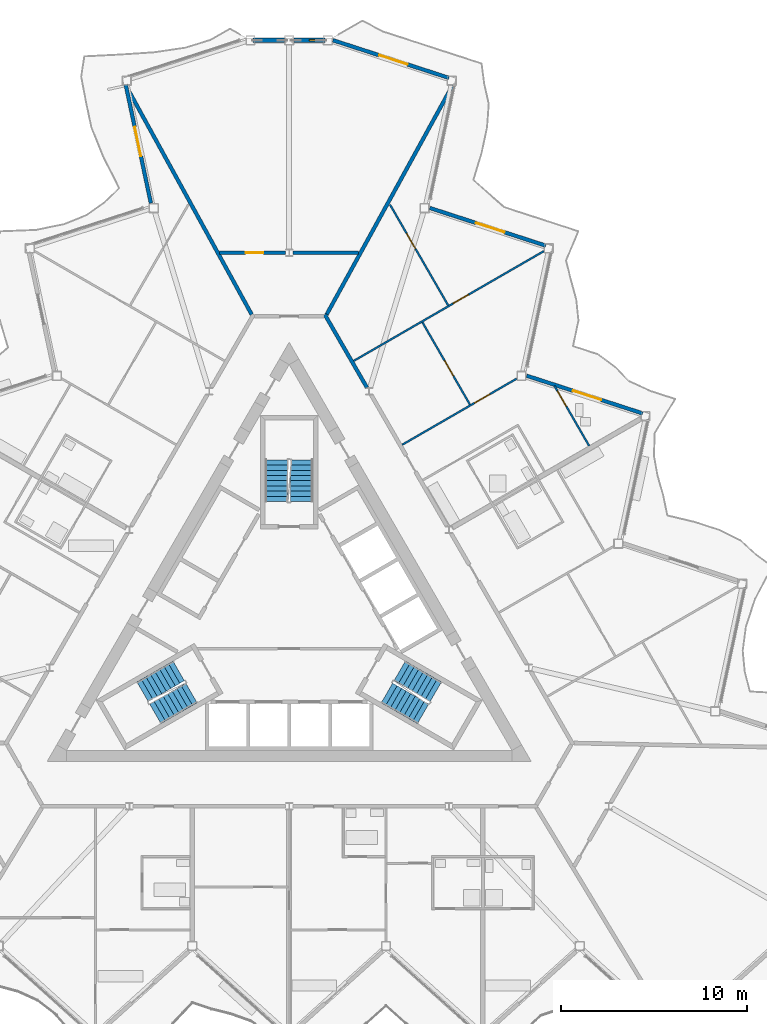
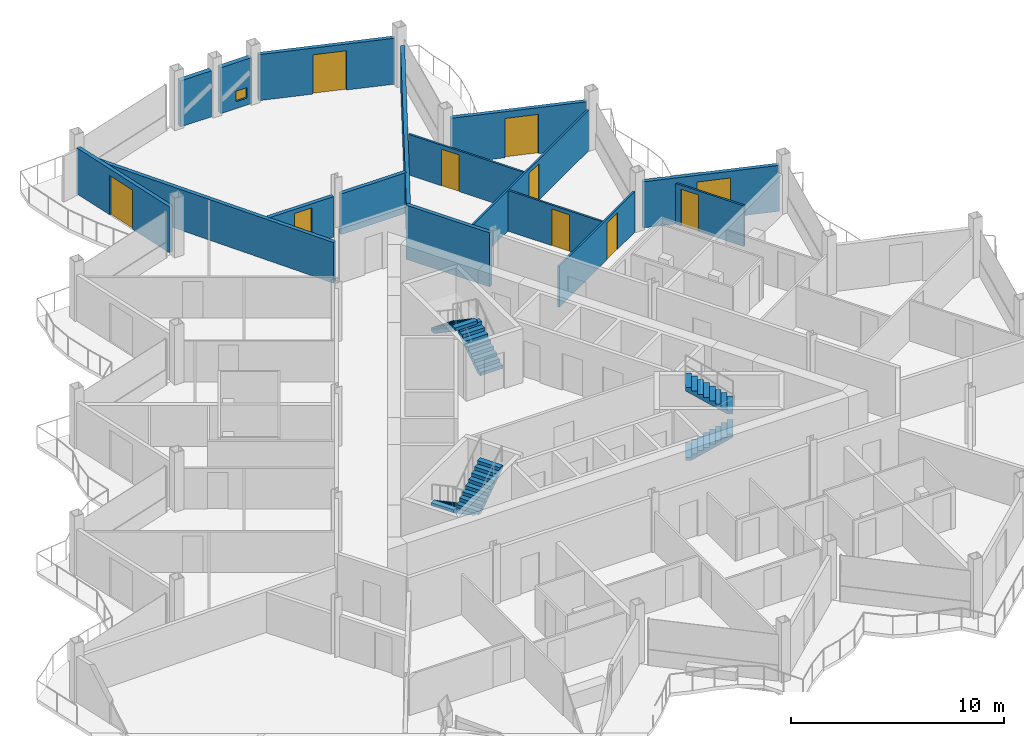
# One storey, part 17 of 25: 16 walls, 10 doors, 6 stair flights, 1 window, 11 openings, 3 elements without a shape of their own.
"""IFC4 building model written with IfcOpenShell, lengths in metres."""

from ifc_helpers import new_model, si_unit, direction, frame, frame_2d, origin, place, context, subcontext, project, spatial, polyline, rectangle, outline, extrude, material, layer, layer_set, type_object, element, fill, aggregate, save


model = new_model("IFC4")

# Units and contexts
model_context = context("Model", 3, precision=1e-05, world=origin(), true_north=direction((0.0, 1.0)))
body_context = subcontext(model_context, "Body", "Model", "MODEL_VIEW")
ifc_project = project(units=[si_unit("LENGTHUNIT", "METRE"), si_unit("AREAUNIT", "SQUARE_METRE"), si_unit("VOLUMEUNIT", "CUBIC_METRE"), si_unit("PLANEANGLEUNIT", "RADIAN"), si_unit("MASSUNIT", "GRAM", prefix="KILO")], contexts=[model_context])

# Site, building, storey
site_placement = place(None, origin())
site = spatial("IfcSite", under=ifc_project, at=site_placement, CompositionType="ELEMENT")
building_placement = place(site_placement, origin())
building = spatial("IfcBuilding", under=site, at=building_placement, Name="Cormorant Prow Tower", CompositionType="ELEMENT")
storey_placement = place(building_placement, frame((0.0, 0.0, 391.60009765625)))
storey = spatial("IfcBuildingStorey", under=building, at=storey_placement, Name="L89", CompositionType="ELEMENT", Elevation=391.60009765625)

# Walls
ifc_material_1 = material(Name="Gypsum board corridor wall")
ifc_layer_1 = layer(ifc_material_1, 0.199951171875)
ifc_layer_set_1 = layer_set([ifc_layer_1], Name="Gypsum board corridor wall")
wall_type_1 = type_object("IfcWallType", Name="Corridor wall 200", PredefinedType="PARTITIONING", material=ifc_layer_set_1)
wall_1_placement = place(storey_placement, frame((1.9130859375, 16.497802734375, 0.0), z_axis=(0.0, 0.0, 1.0), x_axis=(0.499974648164, -0.866040040179, 0.0)))
element("IfcWall", 1, at=wall_1_placement, inside=storey, type_object=wall_type_1, Name="Corridor wall", PredefinedType="PARTITIONING", context=body_context, shape_type="SweptSolid", body=[
    extrude(rectangle(XDim=4.525146484375, YDim=0.199951171875, at=frame_2d((2.2626953125, 0.0))), origin(), (0.0, 0.0, 1.0), 3.099853515625),
])
ifc_material_2 = material(Name="Gypsum board demising wall")
ifc_layer_2 = layer(ifc_material_2, 0.199951171875)
ifc_layer_set_2 = layer_set([ifc_layer_2], Name="Gypsum board demising wall")
wall_type_2 = type_object("IfcWallType", Name="Demising wall 200", PredefinedType="PARTITIONING", material=ifc_layer_set_2)
wall_2_placement = place(storey_placement, frame((-8.580810546875, 28.455322265625, 0.0), z_axis=(0.0, 0.0, 1.0), x_axis=(0.481551865547, -0.876417594979, 0.0)))
element("IfcWall", 2, at=wall_2_placement, inside=storey, type_object=wall_type_2, Name="Demising wall", PredefinedType="PARTITIONING", context=body_context, shape_type="SweptSolid", body=[
    extrude(rectangle(XDim=13.642578125, YDim=0.199951171875, at=frame_2d((6.8212890625, 0.0))), origin(), (0.0, 0.0, 1.0), 2.330078125),
])
wall_3_placement = place(storey_placement, frame((2.01123046875, 16.498779296875, 0.0), z_axis=(0.0, 0.0, 1.0), x_axis=(0.481548701843, 0.876419333284, 0.0)))
element("IfcWall", 3, at=wall_3_placement, inside=storey, type_object=wall_type_2, Name="Demising wall", PredefinedType="PARTITIONING", context=body_context, shape_type="SweptSolid", body=[
    extrude(rectangle(XDim=14.032470703125, YDim=0.199951171875, at=frame_2d((7.01611328125, 0.0))), origin(), (0.0, 0.0, 1.0), 2.330078125),
])
wall_4_placement = place(storey_placement, frame((0.197021484375, 19.81103515625, 0.0), z_axis=(0.0, 0.0, 1.0), x_axis=(1.0, 0.0, 0.0)))
element("IfcWall", 4, at=wall_4_placement, inside=storey, type_object=wall_type_2, Name="Demising wall", PredefinedType="PARTITIONING", context=body_context, shape_type="SweptSolid", body=[
    extrude(rectangle(XDim=3.5341796875, YDim=0.199951171875, at=frame_2d((1.76708984375, 0.0))), origin(), (0.0, 0.0, 1.0), 2.330078125),
])

# Wall, opening, door
wall_5_placement = place(storey_placement, frame((-3.731201171875, 19.81103515625, 0.0), z_axis=(0.0, 0.0, 1.0), x_axis=(1.0, 0.0, 0.0)))
wall_5 = element("IfcWall", 5, at=wall_5_placement, inside=storey, type_object=wall_type_2, Name="Demising wall", PredefinedType="PARTITIONING", context=body_context, shape_type="SweptSolid", body=[
    extrude(rectangle(XDim=3.5341796875, YDim=0.199951171875, at=frame_2d((1.76708984375, 0.0))), origin(), (0.0, 0.0, 1.0), 2.330078125),
])
opening_1_placement = place(wall_5_placement, frame((1.396240234375, 0.0, 0.0)))
opening_1 = element("IfcOpeningElement", 6, at=opening_1_placement, cuts=wall_5, Name="Opening L89-F34", PredefinedType="OPENING", context=body_context, shape_type="SweptSolid", body=[
    extrude(rectangle(XDim=0.949951171875, YDim=2.10009765625, at=frame_2d((0.47509765625, 1.050048828125))), frame((0.0, 0.10986328125, 0.0), z_axis=(0.0, -1.0, 0.0), x_axis=(1.0, 0.0, 0.0)), (0.0, 0.0, 1.0), 0.219970703125),
])
ifc_material_3 = material(Name="Timber door leaf", Category="wood")
door_type_1 = type_object("IfcDoorType", Name="Store door 950x2100", OperationType="NOTDEFINED", PredefinedType="DOOR", material=ifc_material_3)
door_1_placement = place(opening_1_placement, origin())
door_1 = element("IfcDoor", 7, at=door_1_placement, inside=storey, type_object=door_type_1, Name="Refuse room door", OperationType="SINGLE_SWING_RIGHT", OverallHeight=2.10009765625, OverallWidth=0.949951171875, PredefinedType="DOOR", context=body_context, shape_type="SweptSolid", body=[
    extrude(rectangle(XDim=0.949951171875, YDim=2.10009765625, at=frame_2d((0.47509765625, 1.050048828125))), frame((0.0, 0.02490234375, 0.0), z_axis=(0.0, -1.0, 0.0), x_axis=(1.0, 0.0, 0.0)), (0.0, 0.0, 1.0), 0.050048828125),
])
fill(opening_1, door_1)

ifc_material_4 = material(Name="Gypsum board partition")
ifc_layer_3 = layer(ifc_material_4, 0.10009765625)
ifc_layer_set_3 = layer_set([ifc_layer_3], Name="Gypsum board partition")
wall_type_3 = type_object("IfcWallType", Name="Internal partition 100", PredefinedType="PARTITIONING", material=ifc_layer_set_3)
wall_6_placement = place(storey_placement, frame((3.465087890625, 14.009521484375, 0.0), z_axis=(0.0, 0.0, 1.0), x_axis=(0.866032376801, 0.499987922186, 0.0)))
wall_6 = element("IfcWall", 8, at=wall_6_placement, inside=storey, type_object=wall_type_3, Name="Internal partition", PredefinedType="PARTITIONING", context=body_context, shape_type="SweptSolid", body=[
    extrude(rectangle(XDim=11.781982421875, YDim=0.10009765625, at=frame_2d((5.89111328125, 0.0))), origin(), (0.0, 0.0, 1.0), 2.330078125),
])
opening_2_placement = place(wall_6_placement, frame((6.16845703125, 0.0, 0.0)))
opening_2 = element("IfcOpeningElement", 9, at=opening_2_placement, cuts=wall_6, Name="Opening L89-F30", PredefinedType="OPENING", context=body_context, shape_type="SweptSolid", body=[
    extrude(rectangle(XDim=0.949951171875, YDim=2.10009765625, at=frame_2d((0.47509765625, 1.050048828125))), frame((0.0, 0.06005859375, 0.0), z_axis=(0.0, -1.0, 0.0), x_axis=(1.0, 0.0, 0.0)), (0.0, 0.0, 1.0), 0.1201171875),
])
ifc_material_5 = material(Name="Timber door leaf", Category="wood")
door_type_2 = type_object("IfcDoorType", Name="Bathroom door 950x2100", OperationType="NOTDEFINED", PredefinedType="DOOR", material=ifc_material_5)
door_2_placement = place(opening_2_placement, origin())
door_2 = element("IfcDoor", 10, at=door_2_placement, inside=storey, type_object=door_type_2, Name="Bedroom door", OperationType="SINGLE_SWING_LEFT", OverallHeight=2.10009765625, OverallWidth=0.949951171875, PredefinedType="DOOR", context=body_context, shape_type="SweptSolid", body=[
    extrude(rectangle(XDim=0.949951171875, YDim=2.10009765625, at=frame_2d((0.47509765625, 1.050048828125))), frame((0.0, 0.02490234375, 0.0), z_axis=(0.0, -1.0, 0.0), x_axis=(1.0, 0.0, 0.0)), (0.0, 0.0, 1.0), 0.050048828125),
])
fill(opening_2, door_2)

wall_7_placement = place(storey_placement, frame((6.065185546875, 9.506103515625, 0.0), z_axis=(0.0, 0.0, 1.0), x_axis=(0.866018949465, 0.500011179042, 0.0)))
wall_7 = element("IfcWall", 11, at=wall_7_placement, inside=storey, type_object=wall_type_3, Name="Internal partition", PredefinedType="PARTITIONING", context=body_context, shape_type="SweptSolid", body=[
    extrude(rectangle(XDim=7.099853515625, YDim=0.10009765625, at=frame_2d((3.5498046875, 0.0))), origin(), (0.0, 0.0, 1.0), 2.330078125),
])
opening_3_placement = place(wall_7_placement, frame((4.487548828125, 0.0, 0.0)))
opening_3 = element("IfcOpeningElement", 12, at=opening_3_placement, cuts=wall_7, Name="Opening L89-F28", PredefinedType="OPENING", context=body_context, shape_type="SweptSolid", body=[
    extrude(rectangle(XDim=0.949951171875, YDim=2.10009765625, at=frame_2d((0.47509765625, 1.050048828125))), frame((0.0, 0.06005859375, 0.0), z_axis=(0.0, -1.0, 0.0), x_axis=(1.0, 0.0, 0.0)), (0.0, 0.0, 1.0), 0.1201171875),
])
door_3_placement = place(opening_3_placement, origin())
door_3 = element("IfcDoor", 13, at=door_3_placement, inside=storey, type_object=door_type_2, Name="Living room door", OperationType="SINGLE_SWING_LEFT", OverallHeight=2.10009765625, OverallWidth=0.949951171875, PredefinedType="DOOR", context=body_context, shape_type="SweptSolid", body=[
    extrude(rectangle(XDim=0.949951171875, YDim=2.10009765625, at=frame_2d((0.47509765625, 1.050048828125))), frame((0.0, 0.02490234375, 0.0), z_axis=(0.0, -1.0, 0.0), x_axis=(1.0, 0.0, 0.0)), (0.0, 0.0, 1.0), 0.050048828125),
])
fill(opening_3, door_3)

wall_8_placement = place(storey_placement, frame((5.41748046875, 22.394287109375, 0.0), z_axis=(0.0, 0.0, 1.0), x_axis=(0.499975529996, -0.866039531087, 0.0)))
wall_8 = element("IfcWall", 14, at=wall_8_placement, inside=storey, type_object=wall_type_3, Name="Internal partition", PredefinedType="PARTITIONING", context=body_context, shape_type="SweptSolid", body=[
    extrude(rectangle(XDim=6.235107421875, YDim=0.10009765625, at=frame_2d((3.11767578125, 0.0))), origin(), (0.0, 0.0, 1.0), 2.330078125),
])
opening_4_placement = place(wall_8_placement, frame((1.77734375, 0.0, 0.0)))
opening_4 = element("IfcOpeningElement", 15, at=opening_4_placement, cuts=wall_8, Name="Opening L89-F31", PredefinedType="OPENING", context=body_context, shape_type="SweptSolid", body=[
    extrude(rectangle(XDim=0.949951171875, YDim=2.10009765625, at=frame_2d((0.47509765625, 1.050048828125))), frame((0.0, 0.06005859375, 0.0), z_axis=(0.0, -1.0, 0.0), x_axis=(1.0, 0.0, 0.0)), (0.0, 0.0, 1.0), 0.1201171875),
])
door_4_placement = place(opening_4_placement, origin())
door_4 = element("IfcDoor", 16, at=door_4_placement, inside=storey, type_object=door_type_2, Name="Bedroom door", OperationType="SINGLE_SWING_LEFT", OverallHeight=2.10009765625, OverallWidth=0.949951171875, PredefinedType="DOOR", context=body_context, shape_type="SweptSolid", body=[
    extrude(rectangle(XDim=0.949951171875, YDim=2.10009765625, at=frame_2d((0.47509765625, 1.050048828125))), frame((0.0, 0.02490234375, 0.0), z_axis=(0.0, -1.0, 0.0), x_axis=(1.0, 0.0, 0.0)), (0.0, 0.0, 1.0), 0.050048828125),
])
fill(opening_4, door_4)

wall_9_placement = place(storey_placement, frame((7.154296875, 16.081787109375, 0.0), z_axis=(0.0, 0.0, 1.0), x_axis=(0.499984882974, -0.866034131428, 0.0)))
wall_9 = element("IfcWall", 17, at=wall_9_placement, inside=storey, type_object=wall_type_3, Name="Internal partition", PredefinedType="PARTITIONING", context=body_context, shape_type="SweptSolid", body=[
    extrude(rectangle(XDim=5.100341796875, YDim=0.10009765625, at=frame_2d((2.55029296875, 0.0))), origin(), (0.0, 0.0, 1.0), 2.330078125),
])
opening_5_placement = place(wall_9_placement, frame((2.379150390625, 0.0, 0.0)))
opening_5 = element("IfcOpeningElement", 18, at=opening_5_placement, cuts=wall_9, Name="Opening L89-F29", PredefinedType="OPENING", context=body_context, shape_type="SweptSolid", body=[
    extrude(rectangle(XDim=0.949951171875, YDim=2.10009765625, at=frame_2d((0.47509765625, 1.050048828125))), frame((0.0, 0.06005859375, 0.0), z_axis=(0.0, -1.0, 0.0), x_axis=(1.0, 0.0, 0.0)), (0.0, 0.0, 1.0), 0.1201171875),
])
door_5_placement = place(opening_5_placement, origin())
door_5 = element("IfcDoor", 19, at=door_5_placement, inside=storey, type_object=door_type_2, Name="Bedroom door", OperationType="SINGLE_SWING_RIGHT", OverallHeight=2.10009765625, OverallWidth=0.949951171875, PredefinedType="DOOR", context=body_context, shape_type="SweptSolid", body=[
    extrude(rectangle(XDim=0.949951171875, YDim=2.10009765625, at=frame_2d((0.47509765625, 1.050048828125))), frame((0.0, 0.02490234375, 0.0), z_axis=(0.0, -1.0, 0.0), x_axis=(1.0, 0.0, 0.0)), (0.0, 0.0, 1.0), 0.050048828125),
])
fill(opening_5, door_5)

wall_10_placement = place(storey_placement, frame((14.244384765625, 12.671630859375, 0.0), z_axis=(0.0, 0.0, 1.0), x_axis=(0.500021098671, -0.866013222118, 0.0)))
wall_10 = element("IfcWall", 20, at=wall_10_placement, inside=storey, type_object=wall_type_3, Name="Internal partition", PredefinedType="PARTITIONING", context=body_context, shape_type="SweptSolid", body=[
    extrude(rectangle(XDim=3.726806640625, YDim=0.10009765625, at=frame_2d((1.86328125, 0.0))), origin(), (0.0, 0.0, 1.0), 2.330078125),
])
opening_6_placement = place(wall_10_placement, frame((0.32080078125, 0.0, 0.0)))
opening_6 = element("IfcOpeningElement", 21, at=opening_6_placement, cuts=wall_10, Name="Opening L89-F26", PredefinedType="OPENING", context=body_context, shape_type="SweptSolid", body=[
    extrude(rectangle(XDim=0.949951171875, YDim=2.10009765625, at=frame_2d((0.47509765625, 1.050048828125))), frame((0.0, 0.06005859375, 0.0), z_axis=(0.0, -1.0, 0.0), x_axis=(1.0, 0.0, 0.0)), (0.0, 0.0, 1.0), 0.1201171875),
])
door_6_placement = place(opening_6_placement, origin())
door_6 = element("IfcDoor", 22, at=door_6_placement, inside=storey, type_object=door_type_2, Name="Living room door", OperationType="SINGLE_SWING_LEFT", OverallHeight=2.10009765625, OverallWidth=0.949951171875, PredefinedType="DOOR", context=body_context, shape_type="SweptSolid", body=[
    extrude(rectangle(XDim=0.949951171875, YDim=2.10009765625, at=frame_2d((0.47509765625, 1.050048828125))), frame((0.0, 0.02490234375, 0.0), z_axis=(0.0, -1.0, 0.0), x_axis=(1.0, 0.0, 0.0)), (0.0, 0.0, 1.0), 0.050048828125),
])
fill(opening_6, door_6)

# Wall, opening, window
ifc_material_6 = material(Name="Terracotta", Category="masonry")
ifc_layer_4 = layer(ifc_material_6, 0.25)
ifc_layer_set_4 = layer_set([ifc_layer_4], Name="Terracotta")
wall_type_4 = type_object("IfcWallType", Name="Terracotta bay wall 250", PredefinedType="SOLIDWALL", material=ifc_layer_set_4)
wall_11_placement = place(storey_placement, frame((1.93212890625, 31.22412109375, 0.0), z_axis=(0.0, 0.0, 1.0), x_axis=(-1.0, 0.0, 0.0)))
wall_11 = element("IfcWall", 23, at=wall_11_placement, inside=storey, type_object=wall_type_4, Name="Terracotta bay wall N00", PredefinedType="SOLIDWALL", context=body_context, shape_type="SweptSolid", body=[
    extrude(rectangle(XDim=1.68212890625, YDim=0.25, at=frame_2d((0.841064453125, 0.0))), origin(), (0.0, 0.0, 1.0), 2.6337890625),
])
opening_7_placement = place(wall_11_placement, frame((0.25, 0.0, 0.39990234375)))
opening_7 = element("IfcOpeningElement", 24, at=opening_7_placement, cuts=wall_11, Name="Opening WN10", PredefinedType="OPENING", context=body_context, shape_type="SweptSolid", body=[
    extrude(rectangle(XDim=0.60009765625, YDim=0.60009765625, at=frame_2d((0.300048828125, 0.300048828125))), frame((0.0, 0.135009765625, 0.0), z_axis=(0.0, -1.0, 0.0), x_axis=(1.0, 0.0, 0.0)), (0.0, 0.0, 1.0), 0.27001953125),
])
ifc_material_7 = material(Name="Aluminium 6063-T6", Category="aluminium")
window_type = type_object("IfcWindowType", Name="Corner bay window 600x600", PartitioningType="SINGLE_PANEL", PredefinedType="WINDOW", material=ifc_material_7)
window_placement = place(opening_7_placement, origin())
window = element("IfcWindow", 25, at=window_placement, inside=storey, type_object=window_type, Name="Corner bay window N00", OverallHeight=0.60009765625, OverallWidth=0.60009765625, PartitioningType="SINGLE_PANEL", PredefinedType="WINDOW", context=body_context, shape_type="SweptSolid", body=[
    extrude(rectangle(XDim=0.60009765625, YDim=0.60009765625, at=frame_2d((0.300048828125, 0.300048828125))), frame((0.0, 0.030029296875, 0.0), z_axis=(0.0, -1.0, 0.0), x_axis=(1.0, 0.0, 0.0)), (0.0, 0.0, 1.0), 0.06005859375),
])
fill(opening_7, window)

# Wall
wall_12_placement = place(storey_placement, frame((-0.25, 31.22412109375, 0.0), z_axis=(0.0, 0.0, 1.0), x_axis=(-1.0, 0.0, 0.0)))
element("IfcWall", 26, at=wall_12_placement, inside=storey, type_object=wall_type_4, Name="Terracotta bay wall N01", PredefinedType="SOLIDWALL", context=body_context, shape_type="SweptSolid", body=[
    extrude(rectangle(XDim=1.68212890625, YDim=0.25, at=frame_2d((0.841064453125, 0.0))), origin(), (0.0, 0.0, 1.0), 2.6337890625),
])

# Wall, opening, door
ifc_material_8 = material(Name="Terracotta", Category="masonry")
ifc_layer_5 = layer(ifc_material_8, 0.199951171875)
ifc_layer_set_5 = layer_set([ifc_layer_5], Name="Terracotta")
wall_type_5 = type_object("IfcWallType", Name="Terracotta jamb wall 200", PredefinedType="SOLIDWALL", material=ifc_layer_set_5)
wall_13_placement = place(storey_placement, frame((18.973876953125, 11.19140625, 0.0), z_axis=(0.0, 0.0, 1.0), x_axis=(-0.951057912068, 0.309012698595, 0.0)))
wall_13 = element("IfcWall", 27, at=wall_13_placement, inside=storey, type_object=wall_type_5, Name="Terracotta jamb wall ENE05", PredefinedType="SOLIDWALL", context=body_context, shape_type="SweptSolid", body=[
    extrude(rectangle(XDim=6.545654296875, YDim=0.199951171875, at=frame_2d((3.27294921875, 0.0))), origin(), (0.0, 0.0, 1.0), 2.6337890625),
])
opening_8_placement = place(wall_13_placement, frame((2.332763671875, 0.0, 0.0)))
opening_8 = element("IfcOpeningElement", 28, at=opening_8_placement, cuts=wall_13, Name="Opening ED89.08", PredefinedType="OPENING", context=body_context, shape_type="SweptSolid", body=[
    extrude(rectangle(XDim=1.60009765625, YDim=2.25, at=frame_2d((0.800048828125, 1.125))), frame((0.0, 0.10986328125, 0.0), z_axis=(0.0, -1.0, 0.0), x_axis=(1.0, 0.0, 0.0)), (0.0, 0.0, 1.0), 0.219970703125),
])
ifc_material_9 = material(Name="Aluminium 6063-T6", Category="aluminium")
door_type_3 = type_object("IfcDoorType", Name="Balcony door 1600x2250", OperationType="DOUBLE_DOOR_SINGLE_SWING", PredefinedType="DOOR", material=ifc_material_9)
door_7_placement = place(opening_8_placement, origin())
door_7 = element("IfcDoor", 29, at=door_7_placement, inside=storey, type_object=door_type_3, Name="Balcony door ENE05 ED89.08", OperationType="DOUBLE_DOOR_SINGLE_SWING", OverallHeight=2.25, OverallWidth=1.60009765625, PredefinedType="DOOR", context=body_context, shape_type="SweptSolid", body=[
    extrude(rectangle(XDim=1.60009765625, YDim=2.25, at=frame_2d((0.800048828125, 1.125))), frame((0.0, 0.02490234375, 0.0), z_axis=(0.0, -1.0, 0.0), x_axis=(1.0, 0.0, 0.0)), (0.0, 0.0, 1.0), 0.050048828125),
])
fill(opening_8, door_7)

wall_14_placement = place(storey_placement, frame((13.77392578125, 20.197998046875, 0.0), z_axis=(0.0, 0.0, 1.0), x_axis=(-0.951046950169, 0.309046434335, 0.0)))
wall_14 = element("IfcWall", 30, at=wall_14_placement, inside=storey, type_object=wall_type_5, Name="Terracotta jamb wall ENE07", PredefinedType="SOLIDWALL", context=body_context, shape_type="SweptSolid", body=[
    extrude(rectangle(XDim=6.5458984375, YDim=0.199951171875, at=frame_2d((3.27294921875, 0.0))), origin(), (0.0, 0.0, 1.0), 2.6337890625),
])
opening_9_placement = place(wall_14_placement, frame((2.332763671875, 0.0, 0.0)))
opening_9 = element("IfcOpeningElement", 31, at=opening_9_placement, cuts=wall_14, Name="Opening ED89.09", PredefinedType="OPENING", context=body_context, shape_type="SweptSolid", body=[
    extrude(rectangle(XDim=1.60009765625, YDim=2.25, at=frame_2d((0.800048828125, 1.125))), frame((0.0, 0.10986328125, 0.0), z_axis=(0.0, -1.0, 0.0), x_axis=(1.0, 0.0, 0.0)), (0.0, 0.0, 1.0), 0.219970703125),
])
door_8_placement = place(opening_9_placement, origin())
door_8 = element("IfcDoor", 32, at=door_8_placement, inside=storey, type_object=door_type_3, Name="Balcony door ENE07 ED89.09", OperationType="DOUBLE_DOOR_SINGLE_SWING", OverallHeight=2.25, OverallWidth=1.60009765625, PredefinedType="DOOR", context=body_context, shape_type="SweptSolid", body=[
    extrude(rectangle(XDim=1.60009765625, YDim=2.25, at=frame_2d((0.800048828125, 1.125))), frame((0.0, 0.02490234375, 0.0), z_axis=(0.0, -1.0, 0.0), x_axis=(1.0, 0.0, 0.0)), (0.0, 0.0, 1.0), 0.050048828125),
])
fill(opening_9, door_8)

wall_15_placement = place(storey_placement, frame((8.573974609375, 29.204833984375, 0.0), z_axis=(0.0, 0.0, 1.0), x_axis=(-0.951057912068, 0.309012698595, 0.0)))
wall_15 = element("IfcWall", 33, at=wall_15_placement, inside=storey, type_object=wall_type_5, Name="Terracotta jamb wall ENE09", PredefinedType="SOLIDWALL", context=body_context, shape_type="SweptSolid", body=[
    extrude(rectangle(XDim=6.545654296875, YDim=0.199951171875, at=frame_2d((3.27294921875, 0.0))), origin(), (0.0, 0.0, 1.0), 2.6337890625),
])
opening_10_placement = place(wall_15_placement, frame((2.332763671875, 0.0, 0.0)))
opening_10 = element("IfcOpeningElement", 34, at=opening_10_placement, cuts=wall_15, Name="Opening ED89.10", PredefinedType="OPENING", context=body_context, shape_type="SweptSolid", body=[
    extrude(rectangle(XDim=1.60009765625, YDim=2.25, at=frame_2d((0.800048828125, 1.125))), frame((0.0, 0.10986328125, 0.0), z_axis=(0.0, -1.0, 0.0), x_axis=(1.0, 0.0, 0.0)), (0.0, 0.0, 1.0), 0.219970703125),
])
door_9_placement = place(opening_10_placement, origin())
door_9 = element("IfcDoor", 35, at=door_9_placement, inside=storey, type_object=door_type_3, Name="Balcony door ENE09 ED89.10", OperationType="DOUBLE_DOOR_SINGLE_SWING", OverallHeight=2.25, OverallWidth=1.60009765625, PredefinedType="DOOR", context=body_context, shape_type="SweptSolid", body=[
    extrude(rectangle(XDim=1.60009765625, YDim=2.25, at=frame_2d((0.800048828125, 1.125))), frame((0.0, 0.02490234375, 0.0), z_axis=(0.0, -1.0, 0.0), x_axis=(1.0, 0.0, 0.0)), (0.0, 0.0, 1.0), 0.050048828125),
])
fill(opening_10, door_9)

wall_16_placement = place(storey_placement, frame((-8.779052734375, 28.849609375, 0.0), z_axis=(0.0, 0.0, 1.0), x_axis=(0.207910765171, -0.978147797486, 0.0)))
wall_16 = element("IfcWall", 36, at=wall_16_placement, inside=storey, type_object=wall_type_5, Name="Terracotta jamb wall WNW01", PredefinedType="SOLIDWALL", context=body_context, shape_type="SweptSolid", body=[
    extrude(rectangle(XDim=6.512451171875, YDim=0.199951171875, at=frame_2d((3.25634765625, 0.0))), origin(), (0.0, 0.0, 1.0), 2.6337890625),
])
opening_11_placement = place(wall_16_placement, frame((2.332763671875, 0.0, 0.0)))
opening_11 = element("IfcOpeningElement", 37, at=opening_11_placement, cuts=wall_16, Name="Opening ED89.11", PredefinedType="OPENING", context=body_context, shape_type="SweptSolid", body=[
    extrude(rectangle(XDim=1.60009765625, YDim=2.25, at=frame_2d((0.800048828125, 1.125))), frame((0.0, 0.10986328125, 0.0), z_axis=(0.0, -1.0, 0.0), x_axis=(1.0, 0.0, 0.0)), (0.0, 0.0, 1.0), 0.219970703125),
])
door_10_placement = place(opening_11_placement, origin())
door_10 = element("IfcDoor", 38, at=door_10_placement, inside=storey, type_object=door_type_3, Name="Balcony door WNW01 ED89.11", OperationType="DOUBLE_DOOR_SINGLE_SWING", OverallHeight=2.25, OverallWidth=1.60009765625, PredefinedType="DOOR", context=body_context, shape_type="SweptSolid", body=[
    extrude(rectangle(XDim=1.60009765625, YDim=2.25, at=frame_2d((0.800048828125, 1.125))), frame((0.0, 0.02490234375, 0.0), z_axis=(0.0, -1.0, 0.0), x_axis=(1.0, 0.0, 0.0)), (0.0, 0.0, 1.0), 0.050048828125),
])
fill(opening_11, door_10)

# Stair, stair flights
ifc_material_10 = material(Name="Exit stair 18 risers")
stair_type = type_object("IfcStairType", Name="Exit stair 18 risers", PredefinedType="HALF_TURN_STAIR", material=ifc_material_10)
stair_1_placement = place(storey_placement, origin())
stair_1 = element("IfcStair", 39, at=stair_1_placement, inside=storey, type_object=stair_type, Name="L89 Exit stair ST1", PredefinedType="HALF_TURN_STAIR")
ifc_material_11 = material(Name="Concrete 5000 psi", Category="concrete")
stair_flight_type = type_object("IfcStairFlightType", Name="Stair flight 1219", PredefinedType="STRAIGHT", material=ifc_material_11)
stair_flight_1_placement = place(storey_placement, frame((-5.93310546875, -2.635009765625, 0.0), z_axis=(0.0, 0.0, 1.0), x_axis=(-0.866025403784, -0.5, 0.0)))
stair_flight_1 = element("IfcStairFlight", 40, at=stair_flight_1_placement, type_object=stair_flight_type, Name="ST1 flight 1", NumberOfRisers=9, NumberOfTreads=8, PredefinedType="STRAIGHT", RiserHeight=0.188888889, TreadLength=0.28, context=body_context, shape_type="SweptSolid", body=[
    extrude(outline(polyline([(0.0, 0.0), (0.0, 0.18896484375), (0.280029296875, 0.18896484375), (0.280029296875, 0.377685546875), (0.56005859375, 0.377685546875), (0.56005859375, 0.566650390625), (0.840087890625, 0.566650390625), (0.840087890625, 0.755615234375), (1.1201171875, 0.755615234375), (1.1201171875, 0.9443359375), (1.39990234375, 0.9443359375), (1.39990234375, 1.13330078125), (1.679931640625, 1.13330078125), (1.679931640625, 1.322265625), (1.9599609375, 1.322265625), (1.9599609375, 1.51123046875), (2.239990234375, 1.51123046875), (2.239990234375, 1.699951171875), (2.239990234375, 1.330322265625), (0.26806640625, 0.0), (0.0, 0.0)])), frame((0.0, 0.609375, 0.0), z_axis=(0.0, -1.0, 0.0), x_axis=(1.0, 0.0, 0.0)), (0.0, 0.0, 1.0), 1.218994140625),
])
stair_flight_2_placement = place(storey_placement, frame((-7.1884765625, -4.940673828125, 1.699951171875), z_axis=(0.0, 0.0, 1.0), x_axis=(0.866025403784, 0.5, 0.0)))
stair_flight_2 = element("IfcStairFlight", 41, at=stair_flight_2_placement, type_object=stair_flight_type, Name="ST1 flight 2", NumberOfRisers=9, NumberOfTreads=8, PredefinedType="STRAIGHT", RiserHeight=0.188888889, TreadLength=0.28, context=body_context, shape_type="SweptSolid", body=[
    extrude(outline(polyline([(0.0, 0.0), (0.0, 0.18896484375), (0.280029296875, 0.18896484375), (0.280029296875, 0.377685546875), (0.56005859375, 0.377685546875), (0.56005859375, 0.566650390625), (0.840087890625, 0.566650390625), (0.840087890625, 0.755615234375), (1.1201171875, 0.755615234375), (1.1201171875, 0.9443359375), (1.39990234375, 0.9443359375), (1.39990234375, 1.13330078125), (1.679931640625, 1.13330078125), (1.679931640625, 1.322265625), (1.9599609375, 1.322265625), (1.9599609375, 1.51123046875), (2.239990234375, 1.51123046875), (2.239990234375, 1.699951171875), (2.239990234375, 1.330322265625), (0.26806640625, 0.0), (0.0, 0.0)])), frame((0.0, 0.609375, 0.0), z_axis=(0.0, -1.0, 0.0), x_axis=(1.0, 0.0, 0.0)), (0.0, 0.0, 1.0), 1.218994140625),
])
aggregate(stair_1, [stair_flight_1, stair_flight_2])

stair_2_placement = place(storey_placement, origin())
stair_2 = element("IfcStair", 42, at=stair_2_placement, inside=storey, type_object=stair_type, Name="L89 Exit stair ST2", PredefinedType="HALF_TURN_STAIR")
stair_flight_3_placement = place(storey_placement, frame((5.24853515625, -3.82080078125, 0.0), z_axis=(0.0, 0.0, 1.0), x_axis=(0.866025403784, -0.5, 0.0)))
stair_flight_3 = element("IfcStairFlight", 43, at=stair_flight_3_placement, type_object=stair_flight_type, Name="ST2 flight 1", NumberOfRisers=9, NumberOfTreads=8, PredefinedType="STRAIGHT", RiserHeight=0.188888889, TreadLength=0.28, context=body_context, shape_type="SweptSolid", body=[
    extrude(outline(polyline([(0.0, 0.0), (0.0, 0.18896484375), (0.280029296875, 0.18896484375), (0.280029296875, 0.377685546875), (0.56005859375, 0.377685546875), (0.56005859375, 0.566650390625), (0.840087890625, 0.566650390625), (0.840087890625, 0.755615234375), (1.1201171875, 0.755615234375), (1.1201171875, 0.9443359375), (1.39990234375, 0.9443359375), (1.39990234375, 1.13330078125), (1.679931640625, 1.13330078125), (1.679931640625, 1.322265625), (1.9599609375, 1.322265625), (1.9599609375, 1.51123046875), (2.239990234375, 1.51123046875), (2.239990234375, 1.699951171875), (2.239990234375, 1.330322265625), (0.26806640625, 0.0), (0.0, 0.0)])), frame((0.0, 0.609375, 0.0), z_axis=(0.0, -1.0, 0.0), x_axis=(1.0, 0.0, 0.0)), (0.0, 0.0, 1.0), 1.218994140625),
])
stair_flight_4_placement = place(storey_placement, frame((7.873046875, -3.755126953125, 1.699951171875), z_axis=(0.0, 0.0, 1.0), x_axis=(-0.866025403784, 0.5, 0.0)))
stair_flight_4 = element("IfcStairFlight", 44, at=stair_flight_4_placement, type_object=stair_flight_type, Name="ST2 flight 2", NumberOfRisers=9, NumberOfTreads=8, PredefinedType="STRAIGHT", RiserHeight=0.188888889, TreadLength=0.28, context=body_context, shape_type="SweptSolid", body=[
    extrude(outline(polyline([(0.0, 0.0), (0.0, 0.18896484375), (0.280029296875, 0.18896484375), (0.280029296875, 0.377685546875), (0.56005859375, 0.377685546875), (0.56005859375, 0.566650390625), (0.840087890625, 0.566650390625), (0.840087890625, 0.755615234375), (1.1201171875, 0.755615234375), (1.1201171875, 0.9443359375), (1.39990234375, 0.9443359375), (1.39990234375, 1.13330078125), (1.679931640625, 1.13330078125), (1.679931640625, 1.322265625), (1.9599609375, 1.322265625), (1.9599609375, 1.51123046875), (2.239990234375, 1.51123046875), (2.239990234375, 1.699951171875), (2.239990234375, 1.330322265625), (0.26806640625, 0.0), (0.0, 0.0)])), frame((0.0, 0.609375, 0.0), z_axis=(0.0, -1.0, 0.0), x_axis=(1.0, 0.0, 0.0)), (0.0, 0.0, 1.0), 1.218994140625),
])
aggregate(stair_2, [stair_flight_3, stair_flight_4])

stair_3_placement = place(storey_placement, origin())
stair_3 = element("IfcStair", 45, at=stair_3_placement, inside=storey, type_object=stair_type, Name="L89 Exit stair ST3", PredefinedType="HALF_TURN_STAIR")
stair_flight_5_placement = place(storey_placement, frame((0.6845703125, 6.455810546875, 0.0), z_axis=(0.0, 0.0, 1.0), x_axis=(0.0, 1.0, 0.0)))
stair_flight_5 = element("IfcStairFlight", 46, at=stair_flight_5_placement, type_object=stair_flight_type, Name="ST3 flight 1", NumberOfRisers=9, NumberOfTreads=8, PredefinedType="STRAIGHT", RiserHeight=0.188888889, TreadLength=0.28, context=body_context, shape_type="SweptSolid", body=[
    extrude(outline(polyline([(0.0, 0.0), (0.0, 0.18896484375), (0.280029296875, 0.18896484375), (0.280029296875, 0.377685546875), (0.56005859375, 0.377685546875), (0.56005859375, 0.566650390625), (0.840087890625, 0.566650390625), (0.840087890625, 0.755615234375), (1.1201171875, 0.755615234375), (1.1201171875, 0.9443359375), (1.39990234375, 0.9443359375), (1.39990234375, 1.13330078125), (1.679931640625, 1.13330078125), (1.679931640625, 1.322265625), (1.9599609375, 1.322265625), (1.9599609375, 1.51123046875), (2.239990234375, 1.51123046875), (2.239990234375, 1.699951171875), (2.239990234375, 1.330322265625), (0.26806640625, 0.0), (0.0, 0.0)])), frame((0.0, 0.609375, 0.0), z_axis=(0.0, -1.0, 0.0), x_axis=(1.0, 0.0, 0.0)), (0.0, 0.0, 1.0), 1.218994140625),
])
stair_flight_6_placement = place(storey_placement, frame((-0.6845703125, 8.69580078125, 1.699951171875), z_axis=(0.0, 0.0, 1.0), x_axis=(0.0, -1.0, 0.0)))
stair_flight_6 = element("IfcStairFlight", 47, at=stair_flight_6_placement, type_object=stair_flight_type, Name="ST3 flight 2", NumberOfRisers=9, NumberOfTreads=8, PredefinedType="STRAIGHT", RiserHeight=0.188888889, TreadLength=0.28, context=body_context, shape_type="SweptSolid", body=[
    extrude(outline(polyline([(0.0, 0.0), (0.0, 0.18896484375), (0.280029296875, 0.18896484375), (0.280029296875, 0.377685546875), (0.56005859375, 0.377685546875), (0.56005859375, 0.566650390625), (0.840087890625, 0.566650390625), (0.840087890625, 0.755615234375), (1.1201171875, 0.755615234375), (1.1201171875, 0.9443359375), (1.39990234375, 0.9443359375), (1.39990234375, 1.13330078125), (1.679931640625, 1.13330078125), (1.679931640625, 1.322265625), (1.9599609375, 1.322265625), (1.9599609375, 1.51123046875), (2.239990234375, 1.51123046875), (2.239990234375, 1.699951171875), (2.239990234375, 1.330322265625), (0.26806640625, 0.0), (0.0, 0.0)])), frame((0.0, 0.609375, 0.0), z_axis=(0.0, -1.0, 0.0), x_axis=(1.0, 0.0, 0.0)), (0.0, 0.0, 1.0), 1.218994140625),
])
aggregate(stair_3, [stair_flight_5, stair_flight_6])

save(model, "model.ifc")
